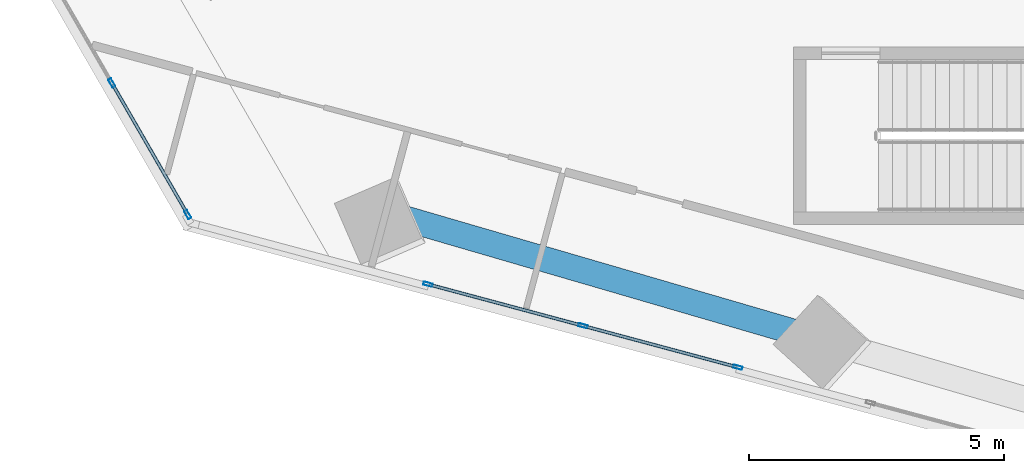
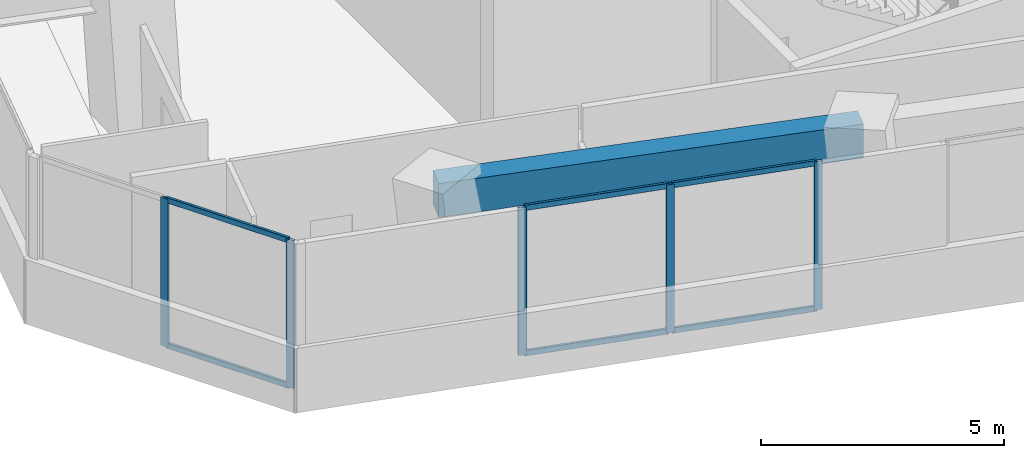
# One storey, part 2 of 26: 11 members, 1 beam, 2 elements without a shape of their own.
"""IFC4 building model written with IfcOpenShell, lengths in metres."""

from ifc_helpers import new_model, si_unit, direction, frame, origin, origin_2d, place, context, subcontext, project, spatial, rectangle, hollow_rectangle, extrude, source, transform, mapped, material, material_profile, profile_set, type_object, element, aggregate, save


model = new_model("IFC4")

# Units and contexts
model_context = context("Model", 3, precision=1e-05, world=origin(), true_north=direction((0.0, 1.0)))
body_context = subcontext(model_context, "Body", "Model", "MODEL_VIEW")
ifc_project = project(units=[si_unit("LENGTHUNIT", "METRE"), si_unit("AREAUNIT", "SQUARE_METRE"), si_unit("VOLUMEUNIT", "CUBIC_METRE"), si_unit("PLANEANGLEUNIT", "RADIAN"), si_unit("MASSUNIT", "GRAM", prefix="KILO")], contexts=[model_context])

# Site, building, storey
site_placement = place(None, origin())
site = spatial("IfcSite", under=ifc_project, at=site_placement, CompositionType="ELEMENT")
building_placement = place(site_placement, origin())
building = spatial("IfcBuilding", under=site, at=building_placement, Name="Torre Montelarca", CompositionType="ELEMENT")
storey_placement = place(building_placement, frame((0.0, 0.0, 104.199951171875)))
storey = spatial("IfcBuildingStorey", under=building, at=storey_placement, Name="L23", CompositionType="ELEMENT", Elevation=104.199951171875)

# Beam
ifc_material_1 = material(Name="Concrete C55/67", Category="concrete")
ifc_material_profile_1 = material_profile(ifc_material_1, rectangle(XDim=0.5, YDim=0.85009765625, at=origin_2d()), Name="RCB500X850", Category="concrete")
ifc_profile_set_1 = profile_set([ifc_material_profile_1], Name="Concrete C55/67")
beam_type = type_object("IfcBeamType", Name="BM-SP-RC850-EXT", PredefinedType="SPANDREL", material=ifc_profile_set_1)
shared_shape_1 = source(origin(), body_context, "Body", "SweptSolid", [
    extrude(rectangle(XDim=0.5, YDim=0.85009765625, at=origin_2d()), origin(), (0.0, 0.0, 1.0), 9.000244140625),
])
beam_placement = place(storey_placement, frame((4.686279296875, 18.985107421875, 3.53515625), z_axis=(0.960048595589, -0.279833332733, 0.0), x_axis=(0.279833332733, 0.960048595589, 0.0)))
element("IfcBeam", 1, at=beam_placement, inside=storey, type_object=beam_type, Name="L23 Grid Girder X 9.0-18.0 at Y=14.8", PredefinedType="SPANDREL", context=body_context, shape_type="MappedRepresentation", body=[
    mapped(shared_shape_1, transform((0.0, 0.0, 0.0), scale=1.0)),
])

# Curtain wall, members
ifc_material_2 = material(Name="Insulated low-E laminated glass", Category="glass")
curtain_wall_type = type_object("IfcCurtainWallType", Name="CW-SYS-Z1", PredefinedType="USERDEFINED", material=ifc_material_2)
curtain_wall_1_placement = place(storey_placement, origin())
curtain_wall_1 = element("IfcCurtainWall", 2, at=curtain_wall_1_placement, inside=storey, type_object=curtain_wall_type, Name="L23 Curtain Wall Run CW-T3-L23-E11-B1", ObjectType="UNITISED GLAZING", PredefinedType="USERDEFINED")
ifc_material_3 = material(Name="Anodised aluminium AA 6063-T6", Category="aluminium")
ifc_material_profile_2 = material_profile(ifc_material_3, hollow_rectangle(XDim=0.06494140625, YDim=0.139892578125, WallThickness=0.00390625, InnerFilletRadius=0.00390625, OuterFilletRadius=0.008056640625, at=origin_2d()), Name="ALU65X140X4", Category="aluminium")
ifc_profile_set_2 = profile_set([ifc_material_profile_2], Name="Anodised aluminium AA 6063-T6")
member_type_1 = type_object("IfcMemberType", Name="CWT-ALU140", PredefinedType="USERDEFINED", material=ifc_profile_set_2)
shared_shape_2 = source(origin(), body_context, "Body", "SweptSolid", [
    extrude(hollow_rectangle(XDim=0.06494140625, YDim=0.139892578125, WallThickness=0.00390625, InnerFilletRadius=0.00390625, OuterFilletRadius=0.008056640625, at=origin_2d()), origin(), (0.0, 0.0, 1.0), 2.91845703125),
])
member_1_placement = place(storey_placement, frame((-0.320556640625, 21.405517578125, 0.032470703125), z_axis=(0.499980718146, -0.866036535882, 0.0), x_axis=(0.866036535882, 0.499980718146, 0.0)))
member_1 = element("IfcMember", 3, at=member_1_placement, type_object=member_type_1, Name="CW transom 2.1", ObjectType="TRANSOM", PredefinedType="USERDEFINED", context=body_context, shape_type="MappedRepresentation", body=[
    mapped(shared_shape_2, transform((0.0, 0.0, 0.0), scale=1.0)),
])
member_2_placement = place(storey_placement, frame((-0.320556640625, 21.405517578125, 3.6875), z_axis=(0.499980718146, -0.866036535882, 0.0), x_axis=(0.866036535882, 0.499980718146, 0.0)))
member_2 = element("IfcMember", 4, at=member_2_placement, type_object=member_type_1, Name="CW transom 2.2", ObjectType="TRANSOM", PredefinedType="USERDEFINED", context=body_context, shape_type="MappedRepresentation", body=[
    mapped(shared_shape_2, transform((0.0, 0.0, 0.0), scale=1.0)),
])

curtain_wall_2_placement = place(storey_placement, origin())
curtain_wall_2 = element("IfcCurtainWall", 5, at=curtain_wall_2_placement, inside=storey, type_object=curtain_wall_type, Name="L23 Curtain Wall Run CW-T3-L23-E01-B1", ObjectType="UNITISED GLAZING", PredefinedType="USERDEFINED")
shared_shape_3 = source(origin(), body_context, "Body", "SweptSolid", [
    extrude(hollow_rectangle(XDim=0.06494140625, YDim=0.139892578125, WallThickness=0.00390625, InnerFilletRadius=0.00390625, OuterFilletRadius=0.008056640625, at=origin_2d()), origin(), (0.0, 0.0, 1.0), 3.08544921875),
])
member_3_placement = place(storey_placement, frame((5.9033203125, 17.4716796875, 0.032470703125), z_axis=(0.965922973486, -0.258829691675, 0.0), x_axis=(0.258829691675, 0.965922973486, 0.0)))
member_3 = element("IfcMember", 6, at=member_3_placement, type_object=member_type_1, Name="CW transom 1.1", ObjectType="TRANSOM", PredefinedType="USERDEFINED", context=body_context, shape_type="MappedRepresentation", body=[
    mapped(shared_shape_3, transform((0.0, 0.0, 0.0), scale=1.0)),
])
member_4_placement = place(storey_placement, frame((5.9033203125, 17.4716796875, 3.6875), z_axis=(0.965922973486, -0.258829691675, 0.0), x_axis=(0.258829691675, 0.965922973486, 0.0)))
member_4 = element("IfcMember", 7, at=member_4_placement, type_object=member_type_1, Name="CW transom 1.2", ObjectType="TRANSOM", PredefinedType="USERDEFINED", context=body_context, shape_type="MappedRepresentation", body=[
    mapped(shared_shape_3, transform((0.0, 0.0, 0.0), scale=1.0)),
])
member_5_placement = place(storey_placement, frame((8.9462890625, 16.65625, 0.032470703125), z_axis=(0.965922973486, -0.258829691675, 0.0), x_axis=(0.258829691675, 0.965922973486, 0.0)))
member_5 = element("IfcMember", 8, at=member_5_placement, type_object=member_type_1, Name="CW transom 2.1", ObjectType="TRANSOM", PredefinedType="USERDEFINED", context=body_context, shape_type="MappedRepresentation", body=[
    mapped(shared_shape_3, transform((0.0, 0.0, 0.0), scale=1.0)),
])
member_6_placement = place(storey_placement, frame((8.9462890625, 16.65625, 3.6875), z_axis=(0.965922973486, -0.258829691675, 0.0), x_axis=(0.258829691675, 0.965922973486, 0.0)))
member_6 = element("IfcMember", 9, at=member_6_placement, type_object=member_type_1, Name="CW transom 2.2", ObjectType="TRANSOM", PredefinedType="USERDEFINED", context=body_context, shape_type="MappedRepresentation", body=[
    mapped(shared_shape_3, transform((0.0, 0.0, 0.0), scale=1.0)),
])
ifc_material_profile_3 = material_profile(ifc_material_3, hollow_rectangle(XDim=0.06494140625, YDim=0.179931640625, WallThickness=0.00390625, InnerFilletRadius=0.00390625, OuterFilletRadius=0.008056640625, at=origin_2d()), Name="ALU65X180X4", Category="aluminium")
ifc_profile_set_3 = profile_set([ifc_material_profile_3], Name="Anodised aluminium AA 6063-T6")
member_type_2 = type_object("IfcMemberType", Name="CWM-ALU180", PredefinedType="MULLION", material=ifc_profile_set_3)
shared_shape_4 = source(origin(), body_context, "Body", "SweptSolid", [
    extrude(hollow_rectangle(XDim=0.06494140625, YDim=0.179931640625, WallThickness=0.00390625, InnerFilletRadius=0.00390625, OuterFilletRadius=0.008056640625, at=origin_2d()), origin(), (0.0, 0.0, 1.0), 3.719970703125),
])
member_7_placement = place(storey_placement, frame((5.871826171875, 17.47998046875, 0.0), z_axis=(0.0, 0.0, 1.0), x_axis=(0.258824029239, 0.96592449078, 0.0)))
member_7 = element("IfcMember", 10, at=member_7_placement, type_object=member_type_2, Name="CW mullion 1", PredefinedType="MULLION", context=body_context, shape_type="MappedRepresentation", body=[
    mapped(shared_shape_4, transform((0.0, 0.0, 0.0), scale=1.0)),
])
member_8_placement = place(storey_placement, frame((8.914794921875, 16.664794921875, 0.0), z_axis=(0.0, 0.0, 1.0), x_axis=(0.258824029239, 0.96592449078, 0.0)))
member_8 = element("IfcMember", 11, at=member_8_placement, type_object=member_type_2, Name="CW mullion 2", PredefinedType="MULLION", context=body_context, shape_type="MappedRepresentation", body=[
    mapped(shared_shape_4, transform((0.0, 0.0, 0.0), scale=1.0)),
])
member_9_placement = place(storey_placement, frame((11.9580078125, 15.849365234375, 0.0), z_axis=(0.0, 0.0, 1.0), x_axis=(0.258824029239, 0.96592449078, 0.0)))
member_9 = element("IfcMember", 12, at=member_9_placement, type_object=member_type_2, Name="CW mullion 3", PredefinedType="MULLION", context=body_context, shape_type="MappedRepresentation", body=[
    mapped(shared_shape_4, transform((0.0, 0.0, 0.0), scale=1.0)),
])
aggregate(curtain_wall_2, [member_7, member_8, member_9, member_3, member_4, member_5, member_6])

# Member
member_10_placement = place(storey_placement, frame((-0.3369140625, 21.43359375, 0.0), z_axis=(0.0, 0.0, 1.0), x_axis=(0.866024921148, 0.50000083595, 0.0)))
member_10 = element("IfcMember", 13, at=member_10_placement, type_object=member_type_2, Name="CW mullion 2", PredefinedType="MULLION", context=body_context, shape_type="MappedRepresentation", body=[
    mapped(shared_shape_4, transform((0.0, 0.0, 0.0), scale=1.0)),
])

member_11_placement = place(storey_placement, frame((1.155029296875, 18.849853515625, 0.0), z_axis=(0.0, 0.0, 1.0), x_axis=(0.866024921148, 0.50000083595, 0.0)))
member_11 = element("IfcMember", 14, at=member_11_placement, type_object=member_type_2, Name="CW mullion 3", PredefinedType="MULLION", context=body_context, shape_type="MappedRepresentation", body=[
    mapped(shared_shape_4, transform((0.0, 0.0, 0.0), scale=1.0)),
])

aggregate(curtain_wall_1, [member_10, member_11, member_1, member_2])

save(model, "model.ifc")
